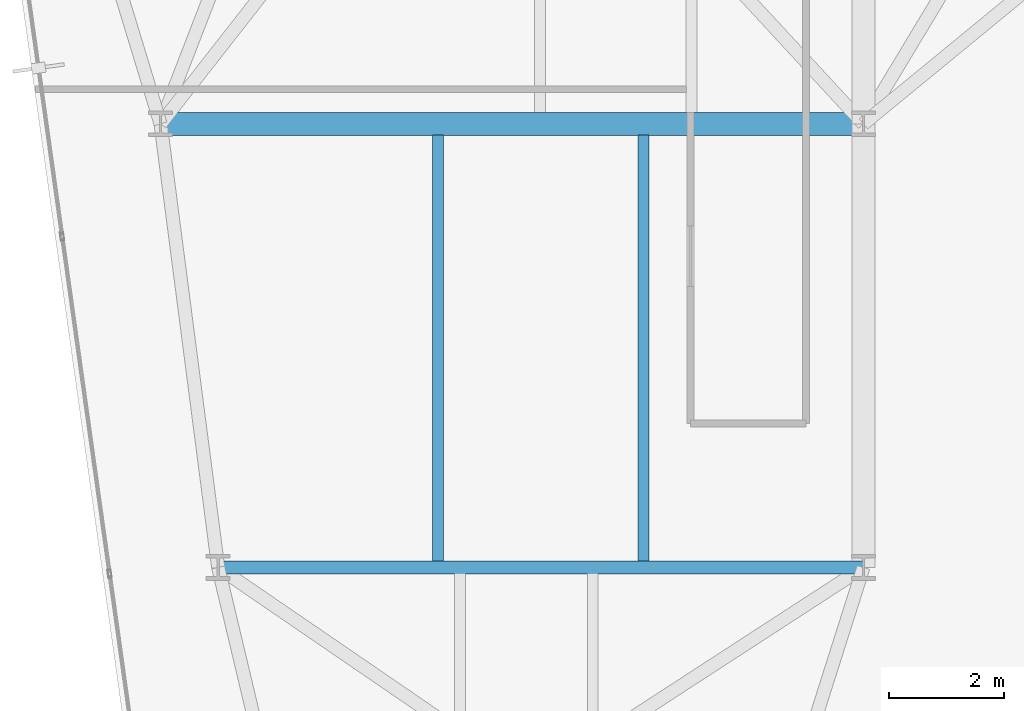
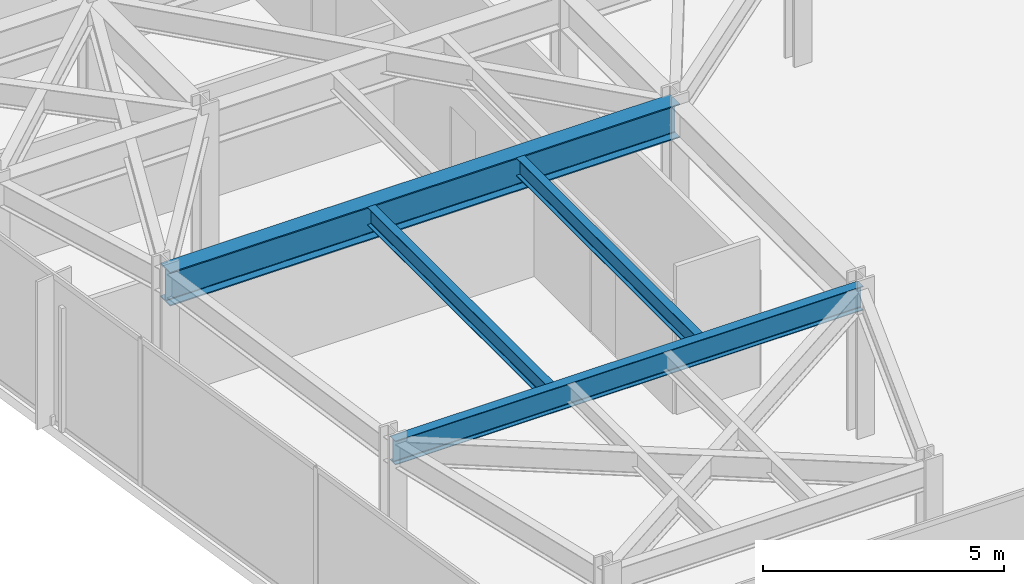
# One storey, part 6 of 26: 4 beams.
"""IFC4 building model written with IfcOpenShell, lengths in metres."""

import ifcopenshell
import ifcopenshell.guid

model = None  # the IFC model being written
_history = None  # IfcOwnerHistory: only IFC2X3 demands one
_inside = {}  # id of a spatial element -> (the spatial element, [elements in it])
_under = {}  # id of a project, library or spatial element -> (it, [spatial elements below it])
_declared = {}  # id of a project -> (the project, [libraries it declares])
_typed = {}  # id of a type object -> (the type object, [elements of that type])
_made_of = {}  # id of a material, layer set ... -> (it, [elements and type objects made of it])


def new_model(schema):
    """Start an empty IFC model of exactly this schema.

    Asked for "IFC4X3", IfcOpenShell would pick the latest addendum, in which some entities
    have other attributes; the version numbers below select the first issue.
    IFC2X3 requires an IfcOwnerHistory on every rooted entity: one is made here for all.
    """
    global model, _history
    if schema == "IFC4X3":
        model = ifcopenshell.file(schema_version=(4, 3, 0, 0))
    else:
        model = ifcopenshell.file(schema=schema)
    _inside.clear()
    _under.clear()
    _declared.clear()
    _typed.clear()
    _made_of.clear()
    _history = None
    if model.schema == "IFC2X3":
        org = make("IfcOrganization", Name="unknown")
        user = make(
            "IfcPersonAndOrganization",
            ThePerson=make("IfcPerson", FamilyName="unknown"),
            TheOrganization=org,
        )
        app = make(
            "IfcApplication",
            ApplicationDeveloper=org,
            Version="unknown",
            ApplicationFullName="unknown",
            ApplicationIdentifier="unknown",
        )
        _history = make(
            "IfcOwnerHistory",
            OwningUser=user,
            OwningApplication=app,
            ChangeAction="ADDED",
            CreationDate=0,
        )
    return model


def make(cls, **values):
    """One entity of the class cls with the attributes given. An attribute that is None is left unset."""
    return model.create_entity(
        cls, **{name: value for name, value in values.items() if value is not None}
    )


def rooted(cls, **values):
    """An entity with a GlobalId (a new one), such as an element, a storey or a relation."""
    return make(cls, GlobalId=ifcopenshell.guid.new(), OwnerHistory=_history, **values)


def si_unit(unit_type, name, prefix=None):
    """IfcSIUnit, for example si_unit("LENGTHUNIT", "METRE", prefix="MILLI")."""
    return make("IfcSIUnit", UnitType=unit_type, Prefix=prefix, Name=name)


def assignment(units):
    """IfcUnitAssignment: the units of a project."""
    return None if units is None else make("IfcUnitAssignment", Units=units)


def point(xyz):
    """IfcCartesianPoint."""
    return None if xyz is None else make("IfcCartesianPoint", Coordinates=xyz)


def direction(xyz):
    """IfcDirection."""
    return None if xyz is None else make("IfcDirection", DirectionRatios=xyz)


def frame(location, z_axis=None, x_axis=None):
    """IfcAxis2Placement3D, a coordinate frame: its origin and axes. An axis left out is left unset."""
    return make(
        "IfcAxis2Placement3D",
        Location=point(location),
        Axis=direction(z_axis),
        RefDirection=direction(x_axis),
    )


def frame_2d(location, x_axis=None):
    """IfcAxis2Placement2D, a coordinate frame in the plane: its origin and x axis."""
    return make(
        "IfcAxis2Placement2D", Location=point(location), RefDirection=direction(x_axis)
    )


def origin():
    """The frame at (0, 0, 0) with its axes left unset."""
    return frame((0.0, 0.0, 0.0))


def origin_2d():
    """The frame at (0, 0) in the plane with its x axis left unset."""
    return frame_2d((0.0, 0.0))


def place(relative_to, where):
    """IfcLocalPlacement: puts the frame where relative to a parent placement (None: the world)."""
    return make(
        "IfcLocalPlacement", PlacementRelTo=relative_to, RelativePlacement=where
    )


def context(
    kind, dimensions, precision=None, world=None, true_north=None, identifier=None
):
    """IfcGeometricRepresentationContext, for example the 3D "Model" context."""
    return make(
        "IfcGeometricRepresentationContext",
        ContextIdentifier=identifier,
        ContextType=kind,
        CoordinateSpaceDimension=dimensions,
        Precision=precision,
        WorldCoordinateSystem=world,
        TrueNorth=true_north,
    )


def subcontext(parent, identifier, kind, view, scale=None):
    """IfcGeometricRepresentationSubContext, for example "Body" below "Model"."""
    return make(
        "IfcGeometricRepresentationSubContext",
        ContextIdentifier=identifier,
        ContextType=kind,
        ParentContext=parent,
        TargetScale=scale,
        TargetView=view,
    )


def project(units=None, contexts=None):
    """IfcProject with its units and contexts."""
    return rooted(
        "IfcProject",
        Name="project",
        RepresentationContexts=contexts,
        UnitsInContext=assignment(units),
    )


def spatial(cls, under=None, at=None, **own):
    """A site, building, storey or space (cls), placed at a placement, below another one or the project."""
    s = rooted(cls, ObjectPlacement=at, **own)
    if under is not None:
        _under.setdefault(under.id(), (under, []))[1].append(s)
    return s


def profile(cls, at=None, kind="AREA", **sizes):
    """A parametric profile (cls). Its sizes go by their IFC names, for example OverallWidth=200.0."""
    return make(cls, ProfileType=kind, Position=at, **sizes)


def i_section(**sizes):
    """IfcIShapeProfileDef."""
    return profile("IfcIShapeProfileDef", **sizes)


def extrude(swept, where, along, depth):
    """IfcExtrudedAreaSolid: the profile swept, set in the frame where, extruded along a direction by depth."""
    return make(
        "IfcExtrudedAreaSolid",
        SweptArea=swept,
        Position=where,
        ExtrudedDirection=direction(along),
        Depth=depth,
    )


def shape(context_of_items, identifier, shape_type, items):
    """IfcShapeRepresentation: the items that make up one representation, for example the "Body"."""
    return make(
        "IfcShapeRepresentation",
        ContextOfItems=context_of_items,
        RepresentationIdentifier=identifier,
        RepresentationType=shape_type,
        Items=items,
    )


def material(Name=None, Category=None):
    """IfcMaterial."""
    return make("IfcMaterial", Name=Name, Category=Category)


def material_profile(
    of_material, cross_section, Name=None, Category=None, Priority=None
):
    """IfcMaterialProfile: a cross section and its material."""
    return make(
        "IfcMaterialProfile",
        Name=Name,
        Material=of_material,
        Profile=cross_section,
        Priority=Priority,
        Category=Category,
    )


def profile_set(profiles, Name=None, composite=None):
    """IfcMaterialProfileSet."""
    return make(
        "IfcMaterialProfileSet",
        Name=Name,
        MaterialProfiles=profiles,
        CompositeProfile=composite,
    )


def made_of(thing, what):
    """Note that an element or type object is made of a material, layer set ...; save() writes the relation."""
    if what is not None:
        _made_of.setdefault(what.id(), (what, []))[1].append(thing)
    return thing


def type_object(cls, material=None, **own):
    """A type object (cls), such as IfcWallType, which elements share."""
    return made_of(rooted(cls, **own), material)


def element(
    cls,
    number,
    at=None,
    inside=None,
    cuts=None,
    type_object=None,
    material=None,
    context=None,
    identifier="Body",
    shape_type=None,
    held_by="IfcProductDefinitionShape",
    body=None,
    shapes=None,
    **own,
):
    """One element of the class cls, such as IfcWall. Its Tag is "e" and its number.

    at: its placement. inside: the storey or other place that contains it. cuts: it is an
    opening in that element (IfcRelVoidsElement). A single representation is given by context,
    identifier, shape_type and body (its items); several are given by shapes. held_by: the class
    of the entity that holds the representations. save() writes the other relations.
    """
    e = rooted(cls, Tag="e%d" % number, ObjectPlacement=at, **own)
    if body is not None:
        shapes = [shape(context, identifier, shape_type, body)]
    if shapes is not None:
        e.Representation = make(held_by, Representations=shapes)
    if inside is not None:
        _inside.setdefault(inside.id(), (inside, []))[1].append(e)
    if cuts is not None:
        rooted(
            "IfcRelVoidsElement", RelatingBuildingElement=cuts, RelatedOpeningElement=e
        )
    if type_object is not None:
        _typed.setdefault(type_object.id(), (type_object, []))[1].append(e)
    return made_of(e, material)


def aggregate(whole, parts):
    """IfcRelAggregates: a whole, such as a stair, and the parts it consists of."""
    return rooted("IfcRelAggregates", RelatingObject=whole, RelatedObjects=parts)


def save(model, path):
    """Write the relations noted so far, then the file.

    IfcRelAggregates (storeys below a building ...), IfcRelContainedInSpatialStructure (elements
    in a storey), IfcRelDefinesByType, IfcRelAssociatesMaterial and IfcRelDeclares: one each for
    every whole, place, type object, material and project.
    """
    for whole, parts in _under.values():
        aggregate(whole, parts)
    for where, things in _inside.values():
        rooted(
            "IfcRelContainedInSpatialStructure",
            RelatedElements=things,
            RelatingStructure=where,
        )
    for kind, things in _typed.values():
        rooted("IfcRelDefinesByType", RelatedObjects=things, RelatingType=kind)
    for what, things in _made_of.values():
        rooted("IfcRelAssociatesMaterial", RelatedObjects=things, RelatingMaterial=what)
    for by, libraries in _declared.values():
        rooted("IfcRelDeclares", RelatingContext=by, RelatedDefinitions=libraries)
    model.write(path)


model = new_model("IFC4")

# Units and contexts
model_context = context("Model", 3, precision=1e-05, world=origin(), true_north=direction((0.0, 1.0)))
body_context = subcontext(model_context, "Body", "Model", "MODEL_VIEW")
ifc_project = project(units=[si_unit("LENGTHUNIT", "METRE"), si_unit("AREAUNIT", "SQUARE_METRE"), si_unit("VOLUMEUNIT", "CUBIC_METRE"), si_unit("PLANEANGLEUNIT", "RADIAN"), si_unit("MASSUNIT", "GRAM", prefix="KILO")], contexts=[model_context])

# Site, building, storey
site_placement = place(None, origin())
site = spatial("IfcSite", under=ifc_project, at=site_placement, CompositionType="ELEMENT")
building_placement = place(site_placement, origin())
building = spatial("IfcBuilding", under=site, at=building_placement, Name="Kravanh Interchange Tower", CompositionType="ELEMENT")
storey_placement = place(building_placement, frame((0.0, 0.0, 140.0)))
storey = spatial("IfcBuildingStorey", under=building, at=storey_placement, Name="L33", CompositionType="ELEMENT", Elevation=140.0)

# Beams
ifc_material_1 = material(Name="Structural Steel S355", Category="steel")
ifc_material_profile_1 = material_profile(ifc_material_1, i_section(OverallWidth=0.39990234375, OverallDepth=0.85595703125, WebThickness=0.018310546875, FlangeThickness=0.029296875, FilletRadius=0.02490234375, at=origin_2d()), Name="W33X201")
ifc_profile_set_1 = profile_set([ifc_material_profile_1], Name="Structural Steel S355")
beam_type_1 = type_object("IfcBeamType", Name="Floor Beam W33X201 Structural Steel S355", PredefinedType="BEAM", material=ifc_profile_set_1)
beam_1_placement = place(storey_placement, frame((15.0, 22.199951171875, 3.322021484375), z_axis=(1.0, 0.0, 0.0), x_axis=(0.0, 1.0, 0.0)))
element("IfcBeam", 1, at=beam_1_placement, inside=storey, type_object=beam_type_1, Name="L33 Primary Floor Girder 108", PredefinedType="BEAM", context=body_context, shape_type="SweptSolid", body=[
    extrude(i_section(OverallWidth=0.39990234375, OverallDepth=0.85595703125, WebThickness=0.018310546875, FlangeThickness=0.029296875, FilletRadius=0.02490234375, at=origin_2d()), origin(), (0.0, 0.0, 1.0), 12.199951171875),
])
ifc_material_2 = material(Name="Structural Steel S355", Category="steel")
ifc_material_profile_2 = material_profile(ifc_material_2, i_section(OverallWidth=0.18994140625, OverallDepth=0.45703125, WebThickness=0.009033203125, FlangeThickness=0.014404296875, FilletRadius=0.01806640625, at=origin_2d()), Name="W18X50")
ifc_profile_set_2 = profile_set([ifc_material_profile_2], Name="Structural Steel S355")
beam_type_2 = type_object("IfcBeamType", Name="Floor Joist W18X50 Structural Steel S355", PredefinedType="JOIST", material=ifc_profile_set_2)
for number, where, z_axis, x_axis, name in (
    (2, (19.818115234375, 14.60888671875, 3.521484375), (0.0, 1.0, 0.0), (-1.0, 0.0, 0.0), "L33 Secondary Floor Joist 5"),
    (3, (23.382080078125, 14.60888671875, 3.521484375), (0.0, 1.0, 0.0), (-1.0, 0.0, 0.0), "L33 Secondary Floor Joist 6"),
):
    element("IfcBeam", number, at=place(storey_placement, frame(where, z_axis=z_axis, x_axis=x_axis)), inside=storey, type_object=beam_type_2, Name=name, PredefinedType="JOIST", context=body_context, shape_type="SweptSolid", body=[
        extrude(i_section(OverallWidth=0.18994140625, OverallDepth=0.45703125, WebThickness=0.009033203125, FlangeThickness=0.014404296875, FilletRadius=0.01806640625, at=origin_2d()), origin(), (0.0, 0.0, 1.0), 7.39599609375),
    ])
ifc_material_3 = material(Name="Structural Steel S355", Category="steel")
ifc_material_profile_3 = material_profile(ifc_material_3, i_section(OverallWidth=0.22802734375, OverallDepth=0.60791015625, WebThickness=0.01123046875, FlangeThickness=0.017333984375, FilletRadius=0.02197265625, at=origin_2d()), Name="W24X76")
ifc_profile_set_3 = profile_set([ifc_material_profile_3], Name="Structural Steel S355")
beam_type_3 = type_object("IfcBeamType", Name="Floor Spandrel W24X76 Structural Steel S355", PredefinedType="SPANDREL", material=ifc_profile_set_3)
beam_2_placement = place(storey_placement, frame((16.0, 14.5, 3.446044921875), z_axis=(1.0, 0.0, 0.0), x_axis=(0.0, 1.0, 0.0)))
element("IfcBeam", 4, at=beam_2_placement, inside=storey, type_object=beam_type_3, Name="L33 Perimeter Spandrel 101", PredefinedType="SPANDREL", context=body_context, shape_type="SweptSolid", body=[
    extrude(i_section(OverallWidth=0.22802734375, OverallDepth=0.60791015625, WebThickness=0.01123046875, FlangeThickness=0.017333984375, FilletRadius=0.02197265625, at=origin_2d()), origin(), (0.0, 0.0, 1.0), 11.199951171875),
])

save(model, "model.ifc")
